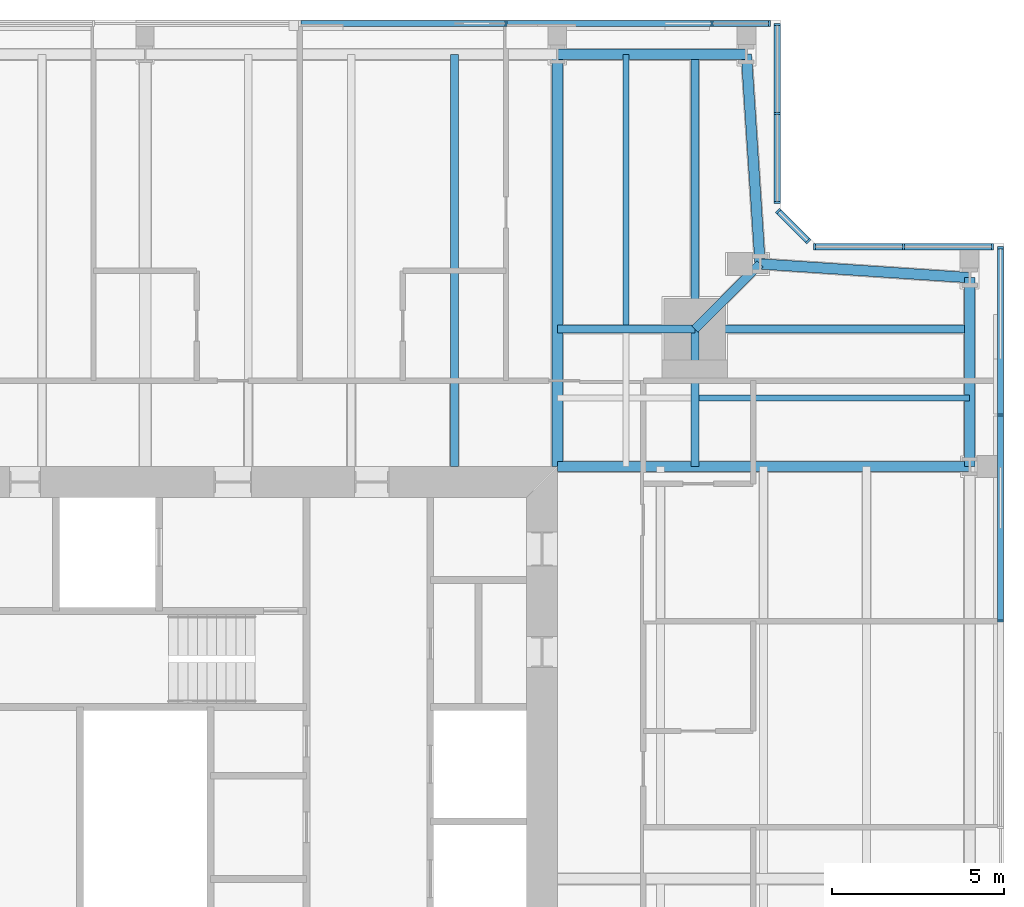
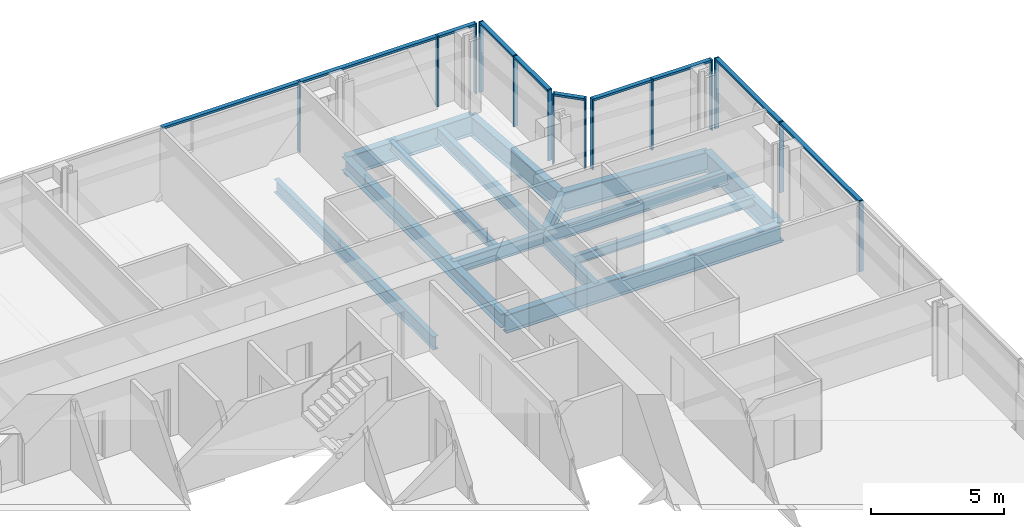
# One storey, part 9 of 18: 24 members, 14 beams, 5 elements without a shape of their own.
"""IFC4 building model written with IfcOpenShell, lengths in metres."""

from ifc_helpers import new_model, si_unit, direction, frame, origin, origin_2d, place, context, subcontext, project, spatial, rectangle, i_section, extrude, material, material_profile, profile_set, type_object, element, aggregate, save


model = new_model("IFC4")

# Units and contexts
model_context = context("Model", 3, precision=1e-05, world=origin(), true_north=direction((0.0, 1.0)))
body_context = subcontext(model_context, "Body", "Model", "MODEL_VIEW")
ifc_project = project(units=[si_unit("LENGTHUNIT", "METRE"), si_unit("AREAUNIT", "SQUARE_METRE"), si_unit("VOLUMEUNIT", "CUBIC_METRE"), si_unit("PLANEANGLEUNIT", "RADIAN"), si_unit("MASSUNIT", "GRAM", prefix="KILO")], contexts=[model_context])

# Site, building, storey
site_placement = place(None, origin())
site = spatial("IfcSite", under=ifc_project, at=site_placement, CompositionType="ELEMENT")
building_placement = place(site_placement, origin())
building = spatial("IfcBuilding", under=site, at=building_placement, Name="Fenwick Lantern Interchange", CompositionType="ELEMENT")
storey_placement = place(building_placement, frame((0.0, 0.0, 290.0)))
storey = spatial("IfcBuildingStorey", under=building, at=storey_placement, Name="L70", CompositionType="ELEMENT", Elevation=290.0)

# Beams
ifc_material_1 = material(Name="Steel ASTM A992 Grade 50", Category="steel")
ifc_material_profile_1 = material_profile(ifc_material_1, i_section(OverallWidth=0.3046875, OverallDepth=0.911865234375, WebThickness=0.015869140625, FlangeThickness=0.02392578125, at=origin_2d()), Name="W36X150")
ifc_profile_set_1 = profile_set([ifc_material_profile_1], Name="Steel ASTM A992 Grade 50")
beam_type_1 = type_object("IfcBeamType", Name="EDGE BEAM W36X150", PredefinedType="SPANDREL", material=ifc_profile_set_1)
beam_1_placement = place(storey_placement, frame((49.0, 37.0, -0.60595703125), z_axis=(0.0, 1.0, 0.0), x_axis=(-1.0, 0.0, 0.0)))
element("IfcBeam", 1, at=beam_1_placement, inside=storey, type_object=beam_type_1, Name="L70/FR/E/EB4", PredefinedType="SPANDREL", context=body_context, shape_type="SweptSolid", body=[
    extrude(i_section(OverallWidth=0.3046875, OverallDepth=0.911865234375, WebThickness=0.015869140625, FlangeThickness=0.02392578125, at=origin_2d()), origin(), (0.0, 0.0, 1.0), 5.5),
])
for number, where, z_axis, x_axis, name in (
    (2, (49.0, 42.5, -0.60595703125), (-0.997858060337, 0.065416293237, 0.0), (-0.065416293237, -0.997858060337, 0.0), "L70/FR/E/EBR1"),
    (3, (42.89990234375, 42.89990234375, -0.60595703125), (-0.065416293237, 0.997858060337, 0.0), (-0.997858060337, -0.065416293237, 0.0), "L70/FR/E/EBR2"),
):
    element("IfcBeam", number, at=place(storey_placement, frame(where, z_axis=z_axis, x_axis=x_axis)), inside=storey, type_object=beam_type_1, Name=name, PredefinedType="SPANDREL", context=body_context, shape_type="SweptSolid", body=[
        extrude(i_section(OverallWidth=0.3046875, OverallDepth=0.911865234375, WebThickness=0.015869140625, FlangeThickness=0.02392578125, at=origin_2d()), origin(), (0.0, 0.0, 1.0), 6.11328125),
    ])
beam_2_placement = place(storey_placement, frame((42.5, 49.0, -0.60595703125), z_axis=(-1.0, 0.0, 0.0), x_axis=(0.0, -1.0, 0.0)))
element("IfcBeam", 4, at=beam_2_placement, inside=storey, type_object=beam_type_1, Name="L70/FR/N/EB1", PredefinedType="SPANDREL", context=body_context, shape_type="SweptSolid", body=[
    extrude(i_section(OverallWidth=0.3046875, OverallDepth=0.911865234375, WebThickness=0.015869140625, FlangeThickness=0.02392578125, at=origin_2d()), origin(), (0.0, 0.0, 1.0), 5.5),
])
ifc_material_profile_2 = material_profile(ifc_material_1, i_section(OverallWidth=0.22900390625, OverallDepth=0.612060546875, WebThickness=0.011962890625, FlangeThickness=0.01953125, at=origin_2d()), Name="W24X84")
ifc_profile_set_2 = profile_set([ifc_material_profile_2], Name="Steel ASTM A992 Grade 50")
beam_type_2 = type_object("IfcBeamType", Name="FLOOR BEAM W24X84", PredefinedType="BEAM", material=ifc_profile_set_2)
beam_3_placement = place(storey_placement, frame((34.0, 49.0, -0.4560546875), z_axis=(0.0, -1.0, 0.0), x_axis=(1.0, 0.0, 0.0)))
element("IfcBeam", 5, at=beam_3_placement, inside=storey, type_object=beam_type_2, Name="L70/FR/N/R02", PredefinedType="BEAM", context=body_context, shape_type="SweptSolid", body=[
    extrude(i_section(OverallWidth=0.22900390625, OverallDepth=0.612060546875, WebThickness=0.011962890625, FlangeThickness=0.01953125, at=origin_2d()), origin(), (0.0, 0.0, 1.0), 12.0),
])

# Curtain wall, members
ifc_material_2 = material(Name="Aluminium curtain wall frame", Category="aluminium")
curtain_wall_type = type_object("IfcCurtainWallType", Name="HOTEL CURTAIN WALL", PredefinedType="USERDEFINED", material=ifc_material_2)
curtain_wall_1_placement = place(storey_placement, origin())
curtain_wall_1 = element("IfcCurtainWall", 6, at=curtain_wall_1_placement, inside=storey, type_object=curtain_wall_type, Name="Hotel curtain wall 05", ObjectType="HOTEL CURTAIN WALL", PredefinedType="USERDEFINED")
ifc_material_3 = material(Name="Aluminium extrusion", Category="aluminium")
ifc_material_profile_3 = material_profile(ifc_material_3, rectangle(XDim=0.179931640625, YDim=0.06005859375, at=origin_2d()), Name="HOTEL CURTAIN WALL MULLION 60 X 180")
ifc_profile_set_3 = profile_set([ifc_material_profile_3], Name="Aluminium extrusion")
member_type_1 = type_object("IfcMemberType", Name="HOTEL CURTAIN WALL MULLION 60 X 180", PredefinedType="MULLION", material=ifc_profile_set_3)
member_1_placement = place(storey_placement, frame((49.89990234375, 32.5, 0.0), z_axis=(0.0, 0.0, 1.0), x_axis=(-1.0, 0.0, 0.0)))
member_1 = element("IfcMember", 7, at=member_1_placement, type_object=member_type_1, Name="L70/CW/05/M05", PredefinedType="MULLION", context=body_context, shape_type="SweptSolid", body=[
    extrude(rectangle(XDim=0.179931640625, YDim=0.06005859375, at=origin_2d()), origin(), (0.0, 0.0, 1.0), 3.25),
])
member_2_placement = place(storey_placement, frame((49.89990234375, 38.5, 0.0), z_axis=(0.0, 0.0, 1.0), x_axis=(-1.0, 0.0, 0.0)))
member_2 = element("IfcMember", 8, at=member_2_placement, type_object=member_type_1, Name="L70/CW/05/M06", PredefinedType="MULLION", context=body_context, shape_type="SweptSolid", body=[
    extrude(rectangle(XDim=0.179931640625, YDim=0.06005859375, at=origin_2d()), origin(), (0.0, 0.0, 1.0), 3.25),
])
member_3_placement = place(storey_placement, frame((49.89990234375, 43.3701171875, 0.0), z_axis=(0.0, 0.0, 1.0), x_axis=(-1.0, 0.0, 0.0)))
member_3 = element("IfcMember", 9, at=member_3_placement, type_object=member_type_1, Name="L70/CW/05/M07", PredefinedType="MULLION", context=body_context, shape_type="SweptSolid", body=[
    extrude(rectangle(XDim=0.179931640625, YDim=0.06005859375, at=origin_2d()), origin(), (0.0, 0.0, 1.0), 3.25),
])

curtain_wall_2_placement = place(storey_placement, origin())
curtain_wall_2 = element("IfcCurtainWall", 10, at=curtain_wall_2_placement, inside=storey, type_object=curtain_wall_type, Name="Hotel curtain wall 06", ObjectType="HOTEL CURTAIN WALL", PredefinedType="USERDEFINED")
member_4_placement = place(storey_placement, frame((49.669921875, 43.39990234375, 0.0), z_axis=(0.0, 0.0, 1.0), x_axis=(0.0, -1.0, 0.0)))
member_4 = element("IfcMember", 11, at=member_4_placement, type_object=member_type_1, Name="L70/CW/06/M00", PredefinedType="MULLION", context=body_context, shape_type="SweptSolid", body=[
    extrude(rectangle(XDim=0.179931640625, YDim=0.06005859375, at=origin_2d()), origin(), (0.0, 0.0, 1.0), 3.25),
])
member_5_placement = place(storey_placement, frame((47.079345703125, 43.39990234375, 0.0), z_axis=(0.0, 0.0, 1.0), x_axis=(0.0, -1.0, 0.0)))
member_5 = element("IfcMember", 12, at=member_5_placement, type_object=member_type_1, Name="L70/CW/06/M01", PredefinedType="MULLION", context=body_context, shape_type="SweptSolid", body=[
    extrude(rectangle(XDim=0.179931640625, YDim=0.06005859375, at=origin_2d()), origin(), (0.0, 0.0, 1.0), 3.25),
])
member_6_placement = place(storey_placement, frame((44.488525390625, 43.39990234375, 0.0), z_axis=(0.0, 0.0, 1.0), x_axis=(0.0, -1.0, 0.0)))
member_6 = element("IfcMember", 13, at=member_6_placement, type_object=member_type_1, Name="L70/CW/06/M02", PredefinedType="MULLION", context=body_context, shape_type="SweptSolid", body=[
    extrude(rectangle(XDim=0.179931640625, YDim=0.06005859375, at=origin_2d()), origin(), (0.0, 0.0, 1.0), 3.25),
])

curtain_wall_3_placement = place(storey_placement, origin())
curtain_wall_3 = element("IfcCurtainWall", 14, at=curtain_wall_3_placement, inside=storey, type_object=curtain_wall_type, Name="Hotel curtain wall 07", ObjectType="HOTEL CURTAIN WALL", PredefinedType="USERDEFINED")
member_7_placement = place(storey_placement, frame((44.2958984375, 43.562744140625, 0.0), z_axis=(0.0, 0.0, 1.0), x_axis=(-0.707106781187, -0.707106781187, 0.0)))
member_7 = element("IfcMember", 15, at=member_7_placement, type_object=member_type_1, Name="L70/CW/07/M00", PredefinedType="MULLION", context=body_context, shape_type="SweptSolid", body=[
    extrude(rectangle(XDim=0.179931640625, YDim=0.06005859375, at=origin_2d()), origin(), (0.0, 0.0, 1.0), 3.25),
])
member_8_placement = place(storey_placement, frame((43.421142578125, 44.437255859375, 0.0), z_axis=(0.0, 0.0, 1.0), x_axis=(-0.707106781187, -0.707106781187, 0.0)))
member_8 = element("IfcMember", 16, at=member_8_placement, type_object=member_type_1, Name="L70/CW/07/M01", PredefinedType="MULLION", context=body_context, shape_type="SweptSolid", body=[
    extrude(rectangle(XDim=0.179931640625, YDim=0.06005859375, at=origin_2d()), origin(), (0.0, 0.0, 1.0), 3.25),
])

curtain_wall_4_placement = place(storey_placement, origin())
curtain_wall_4 = element("IfcCurtainWall", 17, at=curtain_wall_4_placement, inside=storey, type_object=curtain_wall_type, Name="Hotel curtain wall 08", ObjectType="HOTEL CURTAIN WALL", PredefinedType="USERDEFINED")
member_9_placement = place(storey_placement, frame((43.39990234375, 44.6884765625, 0.0), z_axis=(0.0, 0.0, 1.0), x_axis=(-1.0, 0.0, 0.0)))
member_9 = element("IfcMember", 18, at=member_9_placement, type_object=member_type_1, Name="L70/CW/08/M00", PredefinedType="MULLION", context=body_context, shape_type="SweptSolid", body=[
    extrude(rectangle(XDim=0.179931640625, YDim=0.06005859375, at=origin_2d()), origin(), (0.0, 0.0, 1.0), 3.25),
])
member_10_placement = place(storey_placement, frame((43.39990234375, 47.279296875, 0.0), z_axis=(0.0, 0.0, 1.0), x_axis=(-1.0, 0.0, 0.0)))
member_10 = element("IfcMember", 19, at=member_10_placement, type_object=member_type_1, Name="L70/CW/08/M01", PredefinedType="MULLION", context=body_context, shape_type="SweptSolid", body=[
    extrude(rectangle(XDim=0.179931640625, YDim=0.06005859375, at=origin_2d()), origin(), (0.0, 0.0, 1.0), 3.25),
])
member_11_placement = place(storey_placement, frame((43.39990234375, 49.8701171875, 0.0), z_axis=(0.0, 0.0, 1.0), x_axis=(-1.0, 0.0, 0.0)))
member_11 = element("IfcMember", 20, at=member_11_placement, type_object=member_type_1, Name="L70/CW/08/M02", PredefinedType="MULLION", context=body_context, shape_type="SweptSolid", body=[
    extrude(rectangle(XDim=0.179931640625, YDim=0.06005859375, at=origin_2d()), origin(), (0.0, 0.0, 1.0), 3.25),
])

curtain_wall_5_placement = place(storey_placement, origin())
curtain_wall_5 = element("IfcCurtainWall", 21, at=curtain_wall_5_placement, inside=storey, type_object=curtain_wall_type, Name="Hotel curtain wall 09", ObjectType="HOTEL CURTAIN WALL", PredefinedType="USERDEFINED")
member_12_placement = place(storey_placement, frame((43.169921875, 49.89990234375, 0.0), z_axis=(0.0, 0.0, 1.0), x_axis=(0.0, -1.0, 0.0)))
member_12 = element("IfcMember", 22, at=member_12_placement, type_object=member_type_1, Name="L70/CW/09/M00", PredefinedType="MULLION", context=body_context, shape_type="SweptSolid", body=[
    extrude(rectangle(XDim=0.179931640625, YDim=0.06005859375, at=origin_2d()), origin(), (0.0, 0.0, 1.0), 3.25),
])
member_13_placement = place(storey_placement, frame((41.5, 49.89990234375, 0.0), z_axis=(0.0, 0.0, 1.0), x_axis=(0.0, -1.0, 0.0)))
member_13 = element("IfcMember", 23, at=member_13_placement, type_object=member_type_1, Name="L70/CW/09/M01", PredefinedType="MULLION", context=body_context, shape_type="SweptSolid", body=[
    extrude(rectangle(XDim=0.179931640625, YDim=0.06005859375, at=origin_2d()), origin(), (0.0, 0.0, 1.0), 3.25),
])
member_14_placement = place(storey_placement, frame((35.5, 49.89990234375, 0.0), z_axis=(0.0, 0.0, 1.0), x_axis=(0.0, -1.0, 0.0)))
member_14 = element("IfcMember", 24, at=member_14_placement, type_object=member_type_1, Name="L70/CW/09/M02", PredefinedType="MULLION", context=body_context, shape_type="SweptSolid", body=[
    extrude(rectangle(XDim=0.179931640625, YDim=0.06005859375, at=origin_2d()), origin(), (0.0, 0.0, 1.0), 3.25),
])

# Member
ifc_material_profile_4 = material_profile(ifc_material_3, rectangle(XDim=0.179931640625, YDim=0.10009765625, at=origin_2d()), Name="HOTEL CURTAIN WALL TRANSOM 100 X 180")
ifc_profile_set_4 = profile_set([ifc_material_profile_4], Name="Aluminium extrusion")
member_type_2 = type_object("IfcMemberType", Name="HOTEL CURTAIN WALL TRANSOM 100 X 180", PredefinedType="MULLION", material=ifc_profile_set_4)
member_15_placement = place(storey_placement, frame((49.89990234375, 32.530029296875, 3.199951171875), z_axis=(0.0, 1.0, 0.0), x_axis=(-1.0, 0.0, 0.0)))
member_15 = element("IfcMember", 25, at=member_15_placement, type_object=member_type_2, Name="L70/CW/05/T05", PredefinedType="MULLION", context=body_context, shape_type="SweptSolid", body=[
    extrude(rectangle(XDim=0.179931640625, YDim=0.10009765625, at=origin_2d()), origin(), (0.0, 0.0, 1.0), 5.93994140625),
])

member_16_placement = place(storey_placement, frame((49.89990234375, 38.530029296875, 3.199951171875), z_axis=(0.0, 1.0, 0.0), x_axis=(-1.0, 0.0, 0.0)))
member_16 = element("IfcMember", 26, at=member_16_placement, type_object=member_type_2, Name="L70/CW/05/T06", PredefinedType="MULLION", context=body_context, shape_type="SweptSolid", body=[
    extrude(rectangle(XDim=0.179931640625, YDim=0.10009765625, at=origin_2d()), origin(), (0.0, 0.0, 1.0), 4.81005859375),
])

aggregate(curtain_wall_1, [member_1, member_2, member_3, member_15, member_16])

member_17_placement = place(storey_placement, frame((49.639892578125, 43.39990234375, 3.199951171875), z_axis=(-1.0, 0.0, 0.0), x_axis=(0.0, -1.0, 0.0)))
member_17 = element("IfcMember", 27, at=member_17_placement, type_object=member_type_2, Name="L70/CW/06/T00", PredefinedType="MULLION", context=body_context, shape_type="SweptSolid", body=[
    extrude(rectangle(XDim=0.179931640625, YDim=0.10009765625, at=origin_2d()), origin(), (0.0, 0.0, 1.0), 2.530517578125),
])

member_18_placement = place(storey_placement, frame((47.04931640625, 43.39990234375, 3.199951171875), z_axis=(-1.0, 0.0, 0.0), x_axis=(0.0, -1.0, 0.0)))
member_18 = element("IfcMember", 28, at=member_18_placement, type_object=member_type_2, Name="L70/CW/06/T01", PredefinedType="MULLION", context=body_context, shape_type="SweptSolid", body=[
    extrude(rectangle(XDim=0.179931640625, YDim=0.10009765625, at=origin_2d()), origin(), (0.0, 0.0, 1.0), 2.53076171875),
])

aggregate(curtain_wall_2, [member_4, member_5, member_6, member_17, member_18])

member_19_placement = place(storey_placement, frame((44.274658203125, 43.583740234375, 3.199951171875), z_axis=(-0.707003077033, 0.707210470133, 0.0), x_axis=(-0.707210470133, -0.707003077033, 0.0)))
member_19 = element("IfcMember", 29, at=member_19_placement, type_object=member_type_2, Name="L70/CW/07/T00", PredefinedType="MULLION", context=body_context, shape_type="SweptSolid", body=[
    extrude(rectangle(XDim=0.179931640625, YDim=0.10009765625, at=origin_2d()), origin(), (0.0, 0.0, 1.0), 1.17724609375),
])

aggregate(curtain_wall_3, [member_7, member_8, member_19])

member_20_placement = place(storey_placement, frame((43.39990234375, 44.718505859375, 3.199951171875), z_axis=(0.0, 1.0, 0.0), x_axis=(-1.0, 0.0, 0.0)))
member_20 = element("IfcMember", 30, at=member_20_placement, type_object=member_type_2, Name="L70/CW/08/T00", PredefinedType="MULLION", context=body_context, shape_type="SweptSolid", body=[
    extrude(rectangle(XDim=0.179931640625, YDim=0.10009765625, at=origin_2d()), origin(), (0.0, 0.0, 1.0), 2.53076171875),
])

member_21_placement = place(storey_placement, frame((43.39990234375, 47.309326171875, 3.199951171875), z_axis=(0.0, 1.0, 0.0), x_axis=(-1.0, 0.0, 0.0)))
member_21 = element("IfcMember", 31, at=member_21_placement, type_object=member_type_2, Name="L70/CW/08/T01", PredefinedType="MULLION", context=body_context, shape_type="SweptSolid", body=[
    extrude(rectangle(XDim=0.179931640625, YDim=0.10009765625, at=origin_2d()), origin(), (0.0, 0.0, 1.0), 2.53076171875),
])

aggregate(curtain_wall_4, [member_9, member_10, member_11, member_20, member_21])

member_22_placement = place(storey_placement, frame((43.139892578125, 49.89990234375, 3.199951171875), z_axis=(-1.0, 0.0, 0.0), x_axis=(0.0, -1.0, 0.0)))
member_22 = element("IfcMember", 32, at=member_22_placement, type_object=member_type_2, Name="L70/CW/09/T00", PredefinedType="MULLION", context=body_context, shape_type="SweptSolid", body=[
    extrude(rectangle(XDim=0.179931640625, YDim=0.10009765625, at=origin_2d()), origin(), (0.0, 0.0, 1.0), 1.60986328125),
])

member_23_placement = place(storey_placement, frame((41.469970703125, 49.89990234375, 3.199951171875), z_axis=(-1.0, 0.0, 0.0), x_axis=(0.0, -1.0, 0.0)))
member_23 = element("IfcMember", 33, at=member_23_placement, type_object=member_type_2, Name="L70/CW/09/T01", PredefinedType="MULLION", context=body_context, shape_type="SweptSolid", body=[
    extrude(rectangle(XDim=0.179931640625, YDim=0.10009765625, at=origin_2d()), origin(), (0.0, 0.0, 1.0), 5.93994140625),
])

member_24_placement = place(storey_placement, frame((35.469970703125, 49.89990234375, 3.199951171875), z_axis=(-1.0, 0.0, 0.0), x_axis=(0.0, -1.0, 0.0)))
member_24 = element("IfcMember", 34, at=member_24_placement, type_object=member_type_2, Name="L70/CW/09/T02", PredefinedType="MULLION", context=body_context, shape_type="SweptSolid", body=[
    extrude(rectangle(XDim=0.179931640625, YDim=0.10009765625, at=origin_2d()), origin(), (0.0, 0.0, 1.0), 5.93994140625),
])

aggregate(curtain_wall_5, [member_12, member_13, member_14, member_22, member_23, member_24])

# Beams
ifc_material_profile_5 = material_profile(ifc_material_1, i_section(OverallWidth=0.177734375, OverallDepth=0.406494140625, WebThickness=0.0078125, FlangeThickness=0.012939453125, at=origin_2d()), Name="W16X40")
ifc_profile_set_5 = profile_set([ifc_material_profile_5], Name="Steel ASTM A992 Grade 50")
beam_type_3 = type_object("IfcBeamType", Name="INFILL BEAM W16X40", PredefinedType="JOIST", material=ifc_profile_set_5)
for number, where, z_axis, x_axis, name in (
    (35, (39.0, 49.0, -0.353271484375), (0.0, -1.0, 0.0), (1.0, 0.0, 0.0), "L70/FR/N/J1"),
    (36, (49.0, 39.0, -0.353271484375), (-1.0, 0.0, 0.0), (0.0, -1.0, 0.0), "L70/FR/N/J3"),
):
    element("IfcBeam", number, at=place(storey_placement, frame(where, z_axis=z_axis, x_axis=x_axis)), inside=storey, type_object=beam_type_3, Name=name, PredefinedType="JOIST", context=body_context, shape_type="SweptSolid", body=[
        extrude(i_section(OverallWidth=0.177734375, OverallDepth=0.406494140625, WebThickness=0.0078125, FlangeThickness=0.012939453125, at=origin_2d()), origin(), (0.0, 0.0, 1.0), 7.885498046875),
    ])
ifc_material_profile_6 = material_profile(ifc_material_1, i_section(OverallWidth=0.22900390625, OverallDepth=0.612060546875, WebThickness=0.011962890625, FlangeThickness=0.01953125, at=origin_2d()), Name="W24X84")
ifc_profile_set_6 = profile_set([ifc_material_profile_6], Name="Steel ASTM A992 Grade 50")
beam_type_4 = type_object("IfcBeamType", Name="MEGA COLUMN BEAM W24X84", PredefinedType="BEAM", material=ifc_profile_set_6)
for number, where, z_axis, x_axis, name in (
    (37, (41.0, 41.0, -0.4560546875), (0.0, 1.0, 0.0), (-1.0, 0.0, 0.0), "L70/FR/N/MB1"),
    (38, (41.0, 41.0, -0.4560546875), (1.0, 0.0, 0.0), (0.0, 1.0, 0.0), "L70/FR/N/MB2"),
):
    element("IfcBeam", number, at=place(storey_placement, frame(where, z_axis=z_axis, x_axis=x_axis)), inside=storey, type_object=beam_type_4, Name=name, PredefinedType="BEAM", context=body_context, shape_type="SweptSolid", body=[
        extrude(i_section(OverallWidth=0.22900390625, OverallDepth=0.612060546875, WebThickness=0.011962890625, FlangeThickness=0.01953125, at=origin_2d()), origin(), (0.0, 0.0, 1.0), 8.0),
    ])
for number, where, z_axis, x_axis, name in (
    (39, (41.0, 41.0, -0.4560546875), (-1.0, 0.0, 0.0), (0.0, -1.0, 0.0), "L70/FR/N/MB3"),
    (40, (41.0, 41.0, -0.4560546875), (0.0, -1.0, 0.0), (1.0, 0.0, 0.0), "L70/FR/N/MB4"),
):
    element("IfcBeam", number, at=place(storey_placement, frame(where, z_axis=z_axis, x_axis=x_axis)), inside=storey, type_object=beam_type_4, Name=name, PredefinedType="BEAM", context=body_context, shape_type="SweptSolid", body=[
        extrude(i_section(OverallWidth=0.22900390625, OverallDepth=0.612060546875, WebThickness=0.011962890625, FlangeThickness=0.01953125, at=origin_2d()), origin(), (0.0, 0.0, 1.0), 4.0),
    ])
ifc_material_profile_7 = material_profile(ifc_material_1, i_section(OverallWidth=0.32763671875, OverallDepth=0.622314453125, WebThickness=0.015380859375, FlangeThickness=0.0244140625, at=origin_2d()), Name="W24X131")
ifc_profile_set_7 = profile_set([ifc_material_profile_7], Name="Steel ASTM A992 Grade 50")
beam_type_5 = type_object("IfcBeamType", Name="MOMENT-CONNECTED GIRDER W24X131", PredefinedType="BEAM", material=ifc_profile_set_7)
beam_4_placement = place(storey_placement, frame((37.0, 49.0, -0.461181640625), z_axis=(0.0, -1.0, 0.0), x_axis=(1.0, 0.0, 0.0)))
element("IfcBeam", 41, at=beam_4_placement, inside=storey, type_object=beam_type_5, Name="L70/FR/N/R01", PredefinedType="BEAM", context=body_context, shape_type="SweptSolid", body=[
    extrude(i_section(OverallWidth=0.32763671875, OverallDepth=0.622314453125, WebThickness=0.015380859375, FlangeThickness=0.0244140625, at=origin_2d()), origin(), (0.0, 0.0, 1.0), 12.0),
])
ifc_material_profile_8 = material_profile(ifc_material_1, i_section(OverallWidth=0.2919921875, OverallDepth=0.845703125, WebThickness=0.015380859375, FlangeThickness=0.0244140625, at=origin_2d()), Name="W33X141")
ifc_profile_set_8 = profile_set([ifc_material_profile_8], Name="Steel ASTM A992 Grade 50")
beam_type_6 = type_object("IfcBeamType", Name="MOMENT-CONNECTED GIRDER W33X141", PredefinedType="BEAM", material=ifc_profile_set_8)
beam_5_placement = place(storey_placement, frame((49.0, 37.0, -0.572998046875), z_axis=(-1.0, 0.0, 0.0), x_axis=(0.0, -1.0, 0.0)))
element("IfcBeam", 42, at=beam_5_placement, inside=storey, type_object=beam_type_6, Name="L70/FR/E/R03", PredefinedType="BEAM", context=body_context, shape_type="SweptSolid", body=[
    extrude(i_section(OverallWidth=0.2919921875, OverallDepth=0.845703125, WebThickness=0.015380859375, FlangeThickness=0.0244140625, at=origin_2d()), origin(), (0.0, 0.0, 1.0), 12.0),
])
ifc_material_profile_9 = material_profile(ifc_material_1, i_section(OverallWidth=0.2666015625, OverallDepth=0.7568359375, WebThickness=0.013916015625, FlangeThickness=0.019287109375, at=origin_2d()), Name="W30X108")
ifc_profile_set_9 = profile_set([ifc_material_profile_9], Name="Steel ASTM A992 Grade 50")
beam_type_7 = type_object("IfcBeamType", Name="NOTCH BEAM W30X108", PredefinedType="BEAM", material=ifc_profile_set_9)
beam_6_placement = place(storey_placement, frame((41.0, 41.0, -0.528564453125), z_axis=(0.707106781187, 0.707106781187, 0.0), x_axis=(-0.707106781187, 0.707106781187, 0.0)))
element("IfcBeam", 43, at=beam_6_placement, inside=storey, type_object=beam_type_7, Name="L70/FR/N/TG", PredefinedType="BEAM", context=body_context, shape_type="SweptSolid", body=[
    extrude(i_section(OverallWidth=0.2666015625, OverallDepth=0.7568359375, WebThickness=0.013916015625, FlangeThickness=0.019287109375, at=origin_2d()), origin(), (0.0, 0.0, 1.0), 2.686767578125),
])

save(model, "model.ifc")
